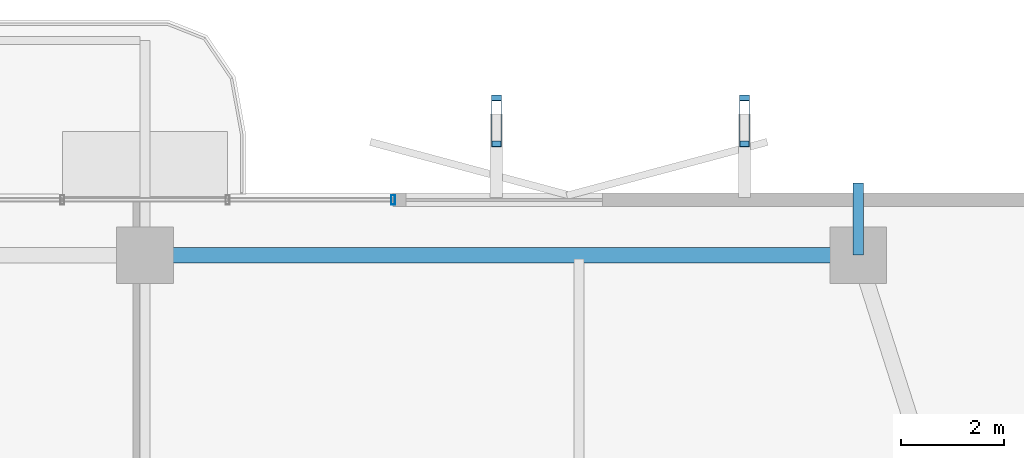
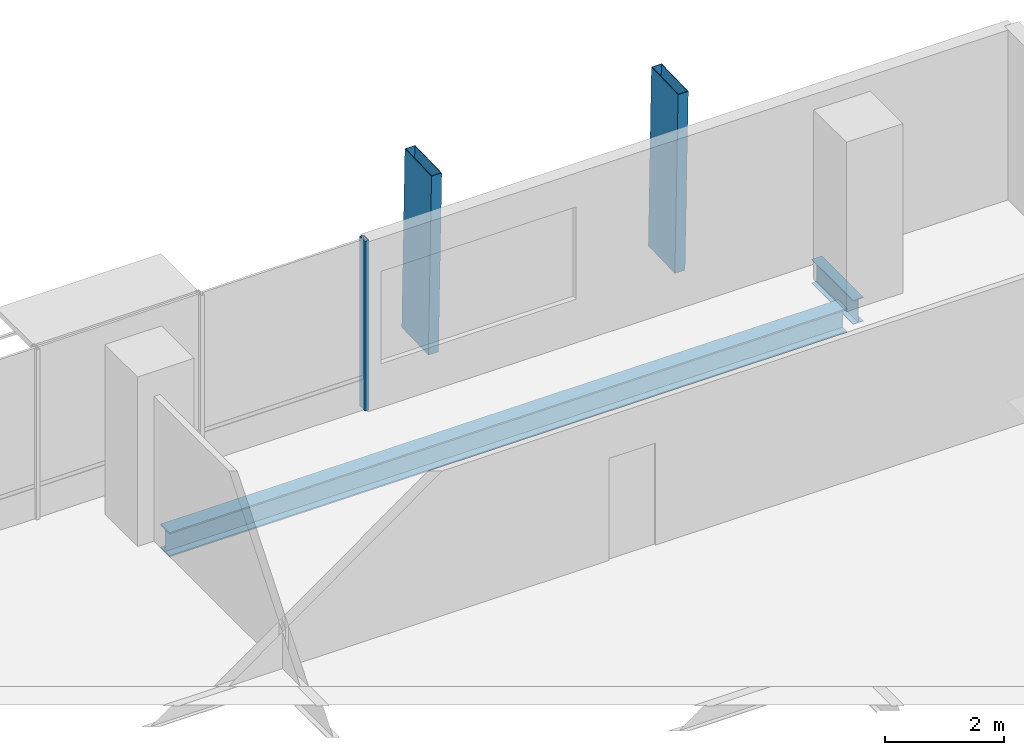
# One storey, part 16 of 25: 3 members, 2 beams, 1 element without a shape of its own.
"""IFC4 building model written with IfcOpenShell, lengths in metres."""

from ifc_helpers import new_model, si_unit, direction, frame, origin, origin_2d, place, context, subcontext, project, spatial, hollow_rectangle, i_section, extrude, material, layer, layer_set, material_profile, profile_set, type_object, element, aggregate, save


model = new_model("IFC4")

# Units and contexts
model_context = context("Model", 3, precision=1e-05, world=origin(), true_north=direction((0.0, 1.0)))
body_context = subcontext(model_context, "Body", "Model", "MODEL_VIEW")
ifc_project = project(units=[si_unit("LENGTHUNIT", "METRE"), si_unit("AREAUNIT", "SQUARE_METRE"), si_unit("VOLUMEUNIT", "CUBIC_METRE"), si_unit("PLANEANGLEUNIT", "RADIAN"), si_unit("MASSUNIT", "GRAM", prefix="KILO")], contexts=[model_context])

# Site, building, storey
site_placement = place(None, origin())
site = spatial("IfcSite", under=ifc_project, at=site_placement, CompositionType="ELEMENT")
building_placement = place(site_placement, origin())
building = spatial("IfcBuilding", under=site, at=building_placement, Name="Belovzor Exchange Tower", CompositionType="ELEMENT")
storey_placement = place(building_placement, frame((0.0, 0.0, 153.300048828125)))
storey = spatial("IfcBuildingStorey", under=building, at=storey_placement, Name="L37", CompositionType="ELEMENT", Elevation=153.300048828125)

# Beam
ifc_material_1 = material(Name="Steel S355", Category="steel")
ifc_material_profile_1 = material_profile(ifc_material_1, i_section(OverallWidth=0.199951171875, OverallDepth=0.5, WebThickness=0.01025390625, FlangeThickness=0.01611328125, at=origin_2d()))
ifc_profile_set_1 = profile_set([ifc_material_profile_1], Name="Steel S355")
beam_type_1 = type_object("IfcBeamType", Name="Planted Balcony Cantilever Beam IPE 500", PredefinedType="BEAM", material=ifc_profile_set_1)
beam_1_placement = place(storey_placement, frame((42.60009765625, 51.89990234375, -0.505126953125), z_axis=(0.0, 1.0, 0.0), x_axis=(-1.0, 0.0, 0.0)))
element("IfcBeam", 1, at=beam_1_placement, inside=storey, type_object=beam_type_1, Name="BC-500 Planted Balcony Cantilever Beam IPE 500", PredefinedType="BEAM", context=body_context, shape_type="SweptSolid", body=[
    extrude(i_section(OverallWidth=0.199951171875, OverallDepth=0.5, WebThickness=0.01025390625, FlangeThickness=0.01611328125, at=origin_2d()), origin(), (0.0, 0.0, 1.0), 1.400146484375),
])

# Members
ifc_material_2 = material(Name="Extruded Architectural Terracotta on Steel S355 Carrier", Category="masonry")
ifc_material_profile_2 = material_profile(ifc_material_2, hollow_rectangle(XDim=0.199951171875, YDim=0.89990234375, WallThickness=0.011962890625, at=origin_2d()))
ifc_profile_set_2 = profile_set([ifc_material_profile_2], Name="Extruded Architectural Terracotta on Steel S355 Carrier")
member_type_1 = type_object("IfcMemberType", Name="Sweeping Terracotta Baguette Fin Assembly 1250", PredefinedType="USERDEFINED", material=ifc_profile_set_2)
for number, where, z_axis, x_axis, name in (
    (2, (35.60009765625, 54.551025390625, -0.255126953125), (0.0, -0.028764134908, 0.999586226667), (1.0, 0.0, 0.0), "FIN-TC125 Terracotta Facade Fin L37 N3"),
    (3, (40.39990234375, 54.551025390625, -0.255126953125), (0.0, -0.028764134908, 0.999586226667), (1.0, 0.0, 0.0), "FIN-TC125 Terracotta Facade Fin L37 N4"),
):
    element("IfcMember", number, at=place(storey_placement, frame(where, z_axis=z_axis, x_axis=x_axis)), inside=storey, type_object=member_type_1, Name=name, ObjectType="FIN", PredefinedType="USERDEFINED", context=body_context, shape_type="SweptSolid", body=[
        extrude(hollow_rectangle(XDim=0.199951171875, YDim=0.89990234375, WallThickness=0.011962890625, at=origin_2d()), origin(), (0.0, 0.0, 1.0), 3.75146484375),
    ])

# Curtain wall, member
ifc_material_3 = material(Name="Anodised Aluminium Framing", Category="aluminium")
ifc_layer = layer(ifc_material_3, 0.179931640625)
ifc_layer_set = layer_set([ifc_layer], Name="Anodised Aluminium Framing")
curtain_wall_type = type_object("IfcCurtainWallType", Name="Recessed Loggia Low-Iron Triple-Glazed Curtain Wall", PredefinedType="NOTDEFINED", material=ifc_layer_set)
curtain_wall_placement = place(storey_placement, origin())
curtain_wall = element("IfcCurtainWall", 4, at=curtain_wall_placement, inside=storey, type_object=curtain_wall_type, Name="CW3 Recessed Loggia Low-Iron Triple-Glazed Curtain Wall L37", PredefinedType="NOTDEFINED")
ifc_material_4 = material(Name="Steel S355", Category="steel")
ifc_material_profile_3 = material_profile(ifc_material_4, hollow_rectangle(XDim=0.074951171875, YDim=0.179931640625, WallThickness=0.0048828125, at=origin_2d()))
ifc_profile_set_3 = profile_set([ifc_material_profile_3], Name="Steel S355")
member_type_2 = type_object("IfcMemberType", Name="Thermally Broken Curtain Wall Mullion 180x75", PredefinedType="MULLION", material=ifc_profile_set_3)
member_placement = place(storey_placement, frame((33.60009765625, 52.969970703125, 0.0), z_axis=(0.0, 0.0, 1.0), x_axis=(1.0, 0.0, 0.0)))
member = element("IfcMember", 5, at=member_placement, type_object=member_type_2, Name="CW-M180 Curtain Wall Mullion 4", PredefinedType="MULLION", context=body_context, shape_type="SweptSolid", body=[
    extrude(hollow_rectangle(XDim=0.074951171875, YDim=0.179931640625, WallThickness=0.0048828125, at=origin_2d()), origin(), (0.0, 0.0, 1.0), 3.494873046875),
])
aggregate(curtain_wall, [member])

# Beam
ifc_material_5 = material(Name="Steel S355", Category="steel")
ifc_material_profile_4 = material_profile(ifc_material_5, i_section(OverallWidth=0.300048828125, OverallDepth=0.5, WebThickness=0.014404296875, FlangeThickness=0.028076171875, at=origin_2d()))
ifc_profile_set_4 = profile_set([ifc_material_profile_4], Name="Steel S355")
beam_type_2 = type_object("IfcBeamType", Name="Zone 3 Waist Primary Girder HEB 500", PredefinedType="BEAM", material=ifc_profile_set_4)
beam_2_placement = place(storey_placement, frame((42.297119140625, 51.89990234375, -0.505126953125), z_axis=(-1.0, 0.0, 0.0), x_axis=(0.0, -1.0, 0.0)))
element("IfcBeam", 6, at=beam_2_placement, inside=storey, type_object=beam_type_2, Name="FG-Z3 Zone 3 Waist Primary Girder HEB 500", PredefinedType="BEAM", context=body_context, shape_type="SweptSolid", body=[
    extrude(i_section(OverallWidth=0.300048828125, OverallDepth=0.5, WebThickness=0.014404296875, FlangeThickness=0.028076171875, at=origin_2d()), origin(), (0.0, 0.0, 1.0), 13.195068359375),
])

save(model, "model.ifc")
